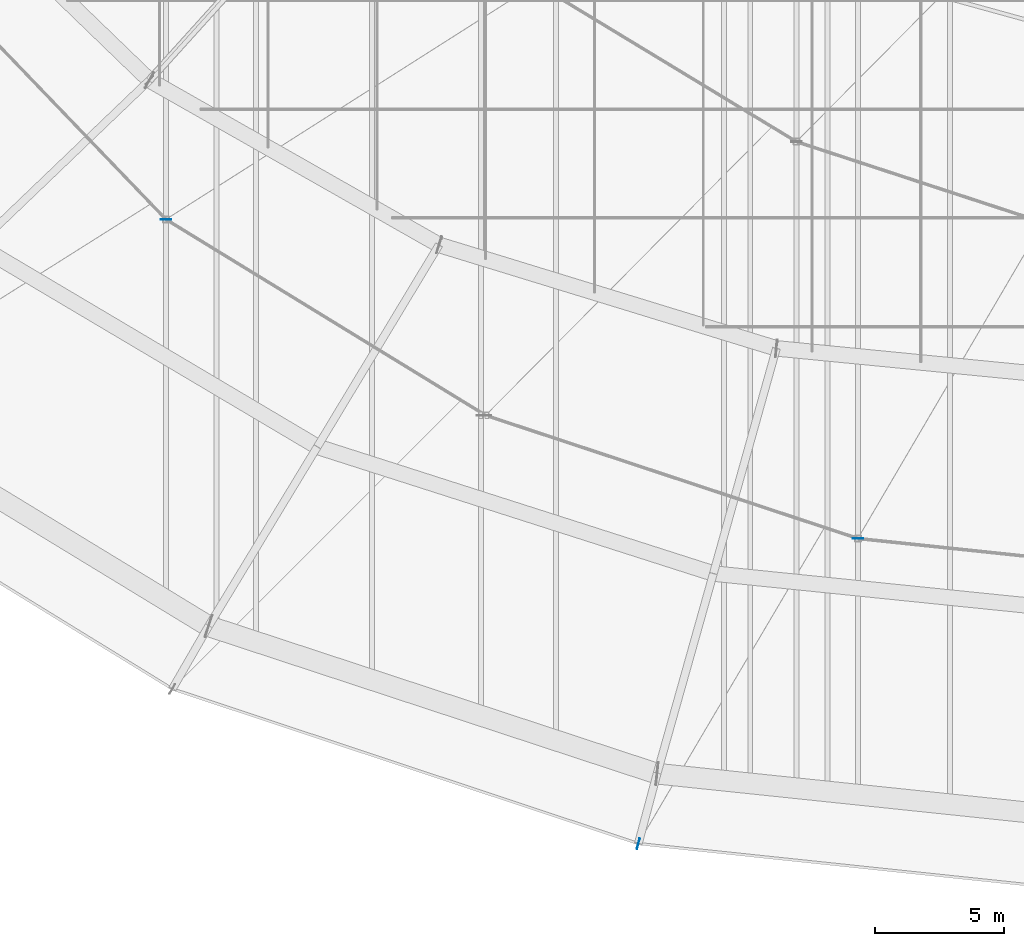
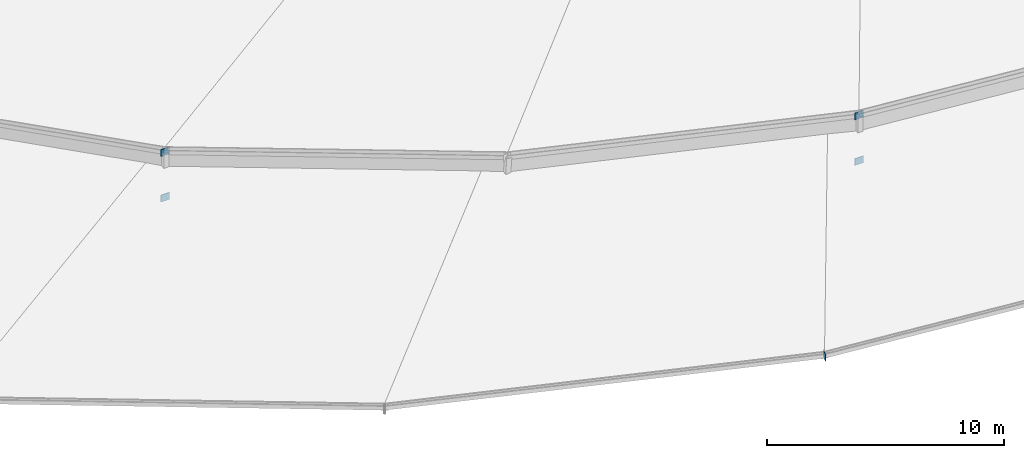
# One storey, part 159 of 184: 5 plates.
"""IFC4 building model written with IfcOpenShell, lengths in metres."""

from ifc_helpers import new_model, si_unit, direction, frame, origin, origin_2d, place, context, subcontext, project, spatial, rectangle, extrude, material, layer, layer_set, type_object, element, save


model = new_model("IFC4")

# Units and contexts
model_context = context("Model", 3, precision=1e-05, world=origin(), true_north=direction((0.0, 1.0)))
body_context = subcontext(model_context, "Body", "Model", "MODEL_VIEW")
ifc_project = project(units=[si_unit("LENGTHUNIT", "METRE"), si_unit("AREAUNIT", "SQUARE_METRE"), si_unit("VOLUMEUNIT", "CUBIC_METRE"), si_unit("PLANEANGLEUNIT", "RADIAN"), si_unit("MASSUNIT", "GRAM", prefix="KILO")], contexts=[model_context])

# Site, building, storey
site_placement = place(None, origin())
site = spatial("IfcSite", under=ifc_project, at=site_placement, CompositionType="ELEMENT")
building_placement = place(site_placement, origin())
building = spatial("IfcBuilding", under=site, at=building_placement, Name="Kalgoora Escarpment Arena", CompositionType="ELEMENT")
storey_placement = place(building_placement, frame((0.0, 0.0, 27.60009765625)))
storey = spatial("IfcBuildingStorey", under=building, at=storey_placement, Name="Roof Level", CompositionType="ELEMENT", Elevation=27.60009765625)

# Plates
ifc_material = material(Name="Structural steel Grade 350 (350 MPa)", Category="steel")
ifc_layer = layer(ifc_material, 0.02490234375)
ifc_layer_set = layer_set([ifc_layer], Name="PLT-GUSSET-25")
plate_type = type_object("IfcPlateType", Name="PLT-GUSSET-25", PredefinedType="USERDEFINED", material=ifc_layer_set)
for number, where, z_axis, x_axis, name in (
    (1, (73.092041015625, 6.237548828125, -1.18017578125), (0.0, 0.0, 1.0), (-0.258819045103, -0.965925826289, 0.0), "Brace and post end gusset plate 172"),
    (2, (54.8564453125, 30.341796875, -1.26025390625), (0.0, 0.0, 1.0), (1.0, 0.0, 0.0), "Brace and post end gusset plate 209"),
    (3, (54.8564453125, 30.341796875, 1.0849609375), (0.0, 0.0, 1.0), (1.0, 0.0, 0.0), "Brace and post end gusset plate 210"),
    (4, (81.574462890625, 18.02197265625, -1.26025390625), (0.0, 0.0, 1.0), (1.0, 0.0, 0.0), "Brace and post end gusset plate 213"),
    (5, (81.574462890625, 18.02197265625, 1.0849609375), (0.0, 0.0, 1.0), (1.0, 0.0, 0.0), "Brace and post end gusset plate 214"),
):
    element("IfcPlate", number, at=place(storey_placement, frame(where, z_axis=z_axis, x_axis=x_axis)), inside=storey, type_object=plate_type, Name=name, ObjectType="FLANGE PLATE", PredefinedType="USERDEFINED", context=body_context, shape_type="SweptSolid", body=[
        extrude(rectangle(XDim=0.419921875, YDim=0.02490234375, at=origin_2d()), origin(), (0.0, 0.0, 1.0), 0.360107421875),
    ])

save(model, "model.ifc")
